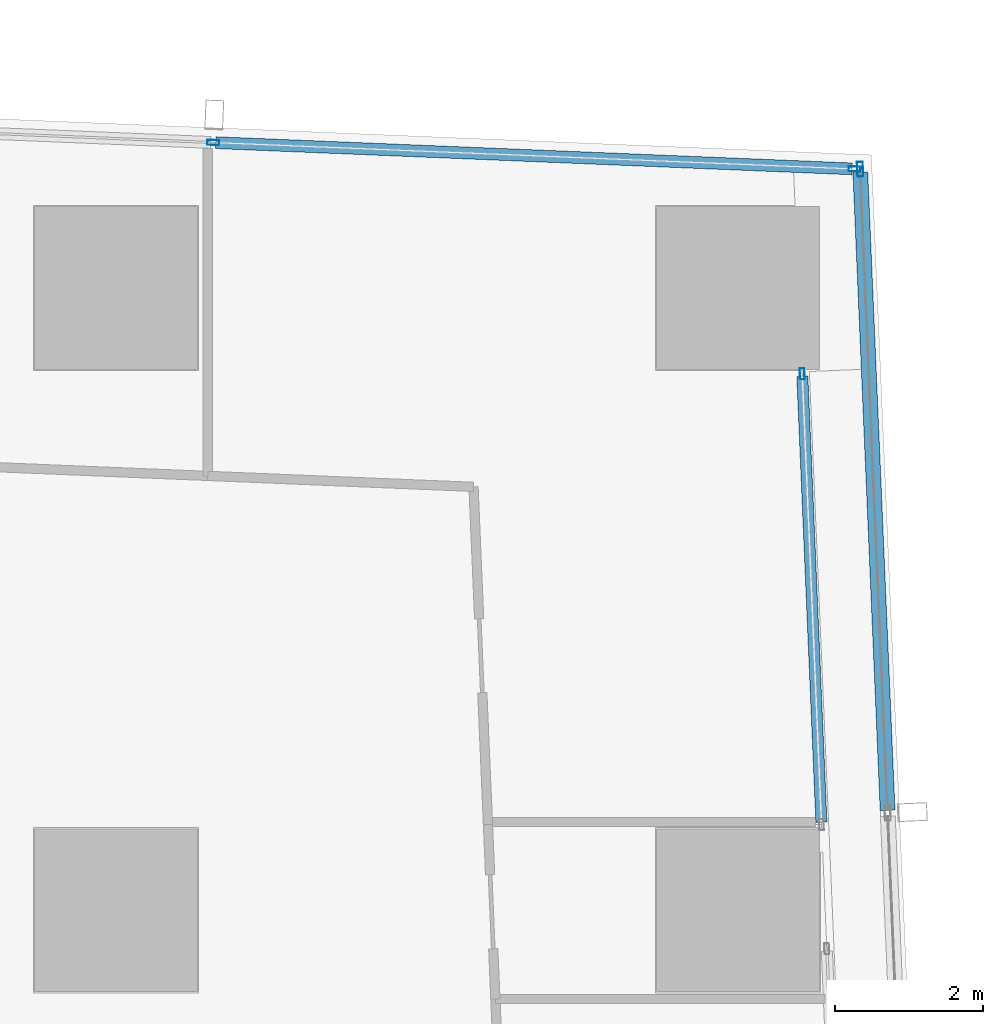
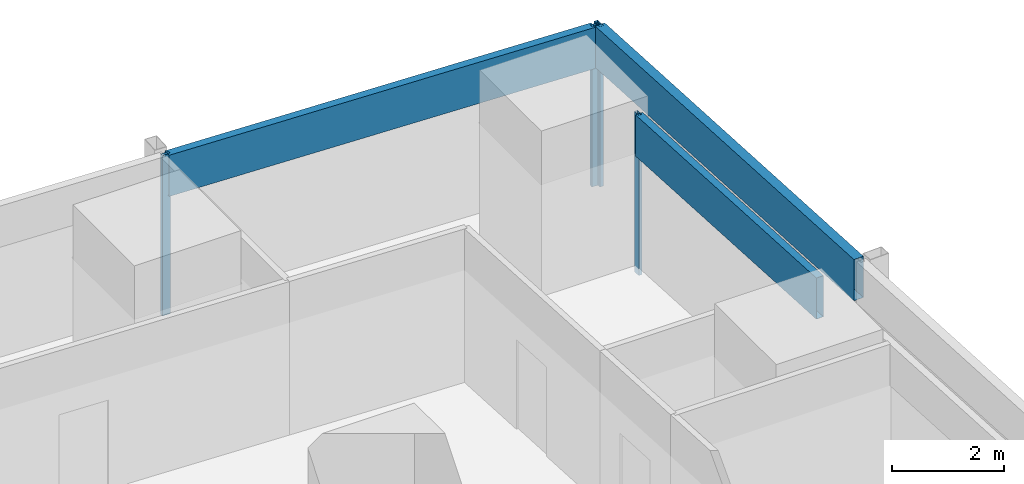
# One storey, part 23 of 45: 7 members, 3 elements without a shape of their own.
"""IFC4 building model written with IfcOpenShell, lengths in metres."""

import ifcopenshell
import ifcopenshell.guid

model = None  # the IFC model being written
_history = None  # IfcOwnerHistory: only IFC2X3 demands one
_inside = {}  # id of a spatial element -> (the spatial element, [elements in it])
_under = {}  # id of a project, library or spatial element -> (it, [spatial elements below it])
_declared = {}  # id of a project -> (the project, [libraries it declares])
_typed = {}  # id of a type object -> (the type object, [elements of that type])
_made_of = {}  # id of a material, layer set ... -> (it, [elements and type objects made of it])


def new_model(schema):
    """Start an empty IFC model of exactly this schema.

    Asked for "IFC4X3", IfcOpenShell would pick the latest addendum, in which some entities
    have other attributes; the version numbers below select the first issue.
    IFC2X3 requires an IfcOwnerHistory on every rooted entity: one is made here for all.
    """
    global model, _history
    if schema == "IFC4X3":
        model = ifcopenshell.file(schema_version=(4, 3, 0, 0))
    else:
        model = ifcopenshell.file(schema=schema)
    _inside.clear()
    _under.clear()
    _declared.clear()
    _typed.clear()
    _made_of.clear()
    _history = None
    if model.schema == "IFC2X3":
        org = make("IfcOrganization", Name="unknown")
        user = make(
            "IfcPersonAndOrganization",
            ThePerson=make("IfcPerson", FamilyName="unknown"),
            TheOrganization=org,
        )
        app = make(
            "IfcApplication",
            ApplicationDeveloper=org,
            Version="unknown",
            ApplicationFullName="unknown",
            ApplicationIdentifier="unknown",
        )
        _history = make(
            "IfcOwnerHistory",
            OwningUser=user,
            OwningApplication=app,
            ChangeAction="ADDED",
            CreationDate=0,
        )
    return model


def make(cls, **values):
    """One entity of the class cls with the attributes given. An attribute that is None is left unset."""
    return model.create_entity(
        cls, **{name: value for name, value in values.items() if value is not None}
    )


def rooted(cls, **values):
    """An entity with a GlobalId (a new one), such as an element, a storey or a relation."""
    return make(cls, GlobalId=ifcopenshell.guid.new(), OwnerHistory=_history, **values)


def si_unit(unit_type, name, prefix=None):
    """IfcSIUnit, for example si_unit("LENGTHUNIT", "METRE", prefix="MILLI")."""
    return make("IfcSIUnit", UnitType=unit_type, Prefix=prefix, Name=name)


def assignment(units):
    """IfcUnitAssignment: the units of a project."""
    return None if units is None else make("IfcUnitAssignment", Units=units)


def point(xyz):
    """IfcCartesianPoint."""
    return None if xyz is None else make("IfcCartesianPoint", Coordinates=xyz)


def direction(xyz):
    """IfcDirection."""
    return None if xyz is None else make("IfcDirection", DirectionRatios=xyz)


def frame(location, z_axis=None, x_axis=None):
    """IfcAxis2Placement3D, a coordinate frame: its origin and axes. An axis left out is left unset."""
    return make(
        "IfcAxis2Placement3D",
        Location=point(location),
        Axis=direction(z_axis),
        RefDirection=direction(x_axis),
    )


def frame_2d(location, x_axis=None):
    """IfcAxis2Placement2D, a coordinate frame in the plane: its origin and x axis."""
    return make(
        "IfcAxis2Placement2D", Location=point(location), RefDirection=direction(x_axis)
    )


def origin():
    """The frame at (0, 0, 0) with its axes left unset."""
    return frame((0.0, 0.0, 0.0))


def origin_2d():
    """The frame at (0, 0) in the plane with its x axis left unset."""
    return frame_2d((0.0, 0.0))


def place(relative_to, where):
    """IfcLocalPlacement: puts the frame where relative to a parent placement (None: the world)."""
    return make(
        "IfcLocalPlacement", PlacementRelTo=relative_to, RelativePlacement=where
    )


def context(
    kind, dimensions, precision=None, world=None, true_north=None, identifier=None
):
    """IfcGeometricRepresentationContext, for example the 3D "Model" context."""
    return make(
        "IfcGeometricRepresentationContext",
        ContextIdentifier=identifier,
        ContextType=kind,
        CoordinateSpaceDimension=dimensions,
        Precision=precision,
        WorldCoordinateSystem=world,
        TrueNorth=true_north,
    )


def subcontext(parent, identifier, kind, view, scale=None):
    """IfcGeometricRepresentationSubContext, for example "Body" below "Model"."""
    return make(
        "IfcGeometricRepresentationSubContext",
        ContextIdentifier=identifier,
        ContextType=kind,
        ParentContext=parent,
        TargetScale=scale,
        TargetView=view,
    )


def project(units=None, contexts=None):
    """IfcProject with its units and contexts."""
    return rooted(
        "IfcProject",
        Name="project",
        RepresentationContexts=contexts,
        UnitsInContext=assignment(units),
    )


def spatial(cls, under=None, at=None, **own):
    """A site, building, storey or space (cls), placed at a placement, below another one or the project."""
    s = rooted(cls, ObjectPlacement=at, **own)
    if under is not None:
        _under.setdefault(under.id(), (under, []))[1].append(s)
    return s


def profile(cls, at=None, kind="AREA", **sizes):
    """A parametric profile (cls). Its sizes go by their IFC names, for example OverallWidth=200.0."""
    return make(cls, ProfileType=kind, Position=at, **sizes)


def hollow_rectangle(**sizes):
    """IfcRectangleHollowProfileDef."""
    return profile("IfcRectangleHollowProfileDef", **sizes)


def extrude(swept, where, along, depth):
    """IfcExtrudedAreaSolid: the profile swept, set in the frame where, extruded along a direction by depth."""
    return make(
        "IfcExtrudedAreaSolid",
        SweptArea=swept,
        Position=where,
        ExtrudedDirection=direction(along),
        Depth=depth,
    )


def shape(context_of_items, identifier, shape_type, items):
    """IfcShapeRepresentation: the items that make up one representation, for example the "Body"."""
    return make(
        "IfcShapeRepresentation",
        ContextOfItems=context_of_items,
        RepresentationIdentifier=identifier,
        RepresentationType=shape_type,
        Items=items,
    )


def material(Name=None, Category=None):
    """IfcMaterial."""
    return make("IfcMaterial", Name=Name, Category=Category)


def material_profile(
    of_material, cross_section, Name=None, Category=None, Priority=None
):
    """IfcMaterialProfile: a cross section and its material."""
    return make(
        "IfcMaterialProfile",
        Name=Name,
        Material=of_material,
        Profile=cross_section,
        Priority=Priority,
        Category=Category,
    )


def profile_set(profiles, Name=None, composite=None):
    """IfcMaterialProfileSet."""
    return make(
        "IfcMaterialProfileSet",
        Name=Name,
        MaterialProfiles=profiles,
        CompositeProfile=composite,
    )


def made_of(thing, what):
    """Note that an element or type object is made of a material, layer set ...; save() writes the relation."""
    if what is not None:
        _made_of.setdefault(what.id(), (what, []))[1].append(thing)
    return thing


def type_object(cls, material=None, **own):
    """A type object (cls), such as IfcWallType, which elements share."""
    return made_of(rooted(cls, **own), material)


def element(
    cls,
    number,
    at=None,
    inside=None,
    cuts=None,
    type_object=None,
    material=None,
    context=None,
    identifier="Body",
    shape_type=None,
    held_by="IfcProductDefinitionShape",
    body=None,
    shapes=None,
    **own,
):
    """One element of the class cls, such as IfcWall. Its Tag is "e" and its number.

    at: its placement. inside: the storey or other place that contains it. cuts: it is an
    opening in that element (IfcRelVoidsElement). A single representation is given by context,
    identifier, shape_type and body (its items); several are given by shapes. held_by: the class
    of the entity that holds the representations. save() writes the other relations.
    """
    e = rooted(cls, Tag="e%d" % number, ObjectPlacement=at, **own)
    if body is not None:
        shapes = [shape(context, identifier, shape_type, body)]
    if shapes is not None:
        e.Representation = make(held_by, Representations=shapes)
    if inside is not None:
        _inside.setdefault(inside.id(), (inside, []))[1].append(e)
    if cuts is not None:
        rooted(
            "IfcRelVoidsElement", RelatingBuildingElement=cuts, RelatedOpeningElement=e
        )
    if type_object is not None:
        _typed.setdefault(type_object.id(), (type_object, []))[1].append(e)
    return made_of(e, material)


def aggregate(whole, parts):
    """IfcRelAggregates: a whole, such as a stair, and the parts it consists of."""
    return rooted("IfcRelAggregates", RelatingObject=whole, RelatedObjects=parts)


def save(model, path):
    """Write the relations noted so far, then the file.

    IfcRelAggregates (storeys below a building ...), IfcRelContainedInSpatialStructure (elements
    in a storey), IfcRelDefinesByType, IfcRelAssociatesMaterial and IfcRelDeclares: one each for
    every whole, place, type object, material and project.
    """
    for whole, parts in _under.values():
        aggregate(whole, parts)
    for where, things in _inside.values():
        rooted(
            "IfcRelContainedInSpatialStructure",
            RelatedElements=things,
            RelatingStructure=where,
        )
    for kind, things in _typed.values():
        rooted("IfcRelDefinesByType", RelatedObjects=things, RelatingType=kind)
    for what, things in _made_of.values():
        rooted("IfcRelAssociatesMaterial", RelatedObjects=things, RelatingMaterial=what)
    for by, libraries in _declared.values():
        rooted("IfcRelDeclares", RelatingContext=by, RelatedDefinitions=libraries)
    model.write(path)


model = new_model("IFC4")

# Units and contexts
model_context = context("Model", 3, precision=1e-05, world=origin(), true_north=direction((0.0, 1.0)))
body_context = subcontext(model_context, "Body", "Model", "MODEL_VIEW")
ifc_project = project(units=[si_unit("LENGTHUNIT", "METRE"), si_unit("AREAUNIT", "SQUARE_METRE"), si_unit("VOLUMEUNIT", "CUBIC_METRE"), si_unit("PLANEANGLEUNIT", "RADIAN"), si_unit("MASSUNIT", "GRAM", prefix="KILO")], contexts=[model_context])

# Site, building, storey
site_placement = place(None, origin())
site = spatial("IfcSite", under=ifc_project, at=site_placement, CompositionType="ELEMENT")
building_placement = place(site_placement, origin())
building = spatial("IfcBuilding", under=site, at=building_placement, Name="Rekha Terrace Tower", CompositionType="ELEMENT")
storey_placement = place(building_placement, frame((0.0, 0.0, 32.89990234375)))
storey = spatial("IfcBuildingStorey", under=building, at=storey_placement, Name="L07", CompositionType="ELEMENT", Elevation=32.89990234375)

# Curtain wall, members
ifc_material_1 = material(Name="Aluminium framing", Category="aluminium")
curtain_wall_type_1 = type_object("IfcCurtainWallType", Name="CW1 double skin inner glazing", PredefinedType="USERDEFINED", material=ifc_material_1)
curtain_wall_1_placement = place(storey_placement, origin())
curtain_wall_1 = element("IfcCurtainWall", 1, at=curtain_wall_1_placement, inside=storey, type_object=curtain_wall_type_1, Name="CW1 double skin inner glazing", ObjectType="DOUBLE SKIN INNER GLAZING", PredefinedType="USERDEFINED")
ifc_material_2 = material(Name="Aluminium mullion section", Category="aluminium")
ifc_material_profile_1 = material_profile(ifc_material_2, hollow_rectangle(XDim=0.06494140625, YDim=0.14990234375, WallThickness=0.00390625, at=origin_2d()), Name="AL RHS 65x150")
ifc_profile_set_1 = profile_set([ifc_material_profile_1], Name="Aluminium mullion section")
member_type_1 = type_object("IfcMemberType", Name="CW1 mullion RHS 65 x 150", PredefinedType="MULLION", material=ifc_profile_set_1)
member_1_placement = place(storey_placement, frame((68.0654296875, 57.6435546875, 0.0), z_axis=(0.0, 0.0, 1.0), x_axis=(-0.9990881069, -0.042696073026, 0.0)))
member_1 = element("IfcMember", 2, at=member_1_placement, type_object=member_type_1, Name="CW1 mullion 2", PredefinedType="MULLION", context=body_context, shape_type="SweptSolid", body=[
    extrude(hollow_rectangle(XDim=0.06494140625, YDim=0.14990234375, WallThickness=0.00390625, at=origin_2d()), origin(), (0.0, 0.0, 1.0), 3.5),
])
ifc_material_3 = material(Name="Insulated aluminium spandrel box", Category="aluminium")
ifc_material_profile_2 = material_profile(ifc_material_3, hollow_rectangle(XDim=0.14990234375, YDim=0.89990234375, WallThickness=0.0029296875, at=origin_2d()), Name="AL SPANDREL BOX 150x900")
ifc_profile_set_2 = profile_set([ifc_material_profile_2], Name="Insulated aluminium spandrel box")
member_type_2 = type_object("IfcMemberType", Name="CW1 spandrel transom 150 x 900", PredefinedType="USERDEFINED", material=ifc_profile_set_2)
member_2_placement = place(storey_placement, frame((68.32421875, 51.5888671875, 3.050048828125), z_axis=(-0.042730627731, 0.999086629604, 0.0), x_axis=(-0.999086629604, -0.042730627731, 0.0)))
member_2 = element("IfcMember", 3, at=member_2_placement, type_object=member_type_2, Name="CW1 spandrel transom 1", ObjectType="TRANSOM", PredefinedType="USERDEFINED", context=body_context, shape_type="SweptSolid", body=[
    extrude(hollow_rectangle(XDim=0.14990234375, YDim=0.89990234375, WallThickness=0.0029296875, at=origin_2d()), origin(), (0.0, 0.0, 1.0), 6.02783203125),
])
aggregate(curtain_wall_1, [member_1, member_2])

curtain_wall_type_2 = type_object("IfcCurtainWallType", Name="CW2 double skin outer glazing", PredefinedType="USERDEFINED", material=ifc_material_1)
curtain_wall_2_placement = place(storey_placement, origin())
curtain_wall_2 = element("IfcCurtainWall", 4, at=curtain_wall_2_placement, inside=storey, type_object=curtain_wall_type_2, Name="CW2 double skin outer glazing", ObjectType="DOUBLE SKIN OUTER GLAZING", PredefinedType="USERDEFINED")
ifc_material_profile_3 = material_profile(ifc_material_2, hollow_rectangle(XDim=0.080078125, YDim=0.199951171875, WallThickness=0.00390625, at=origin_2d()), Name="AL RHS 80x200")
ifc_profile_set_3 = profile_set([ifc_material_profile_3], Name="Aluminium mullion section")
member_type_3 = type_object("IfcMemberType", Name="CW2 mullion RHS 80 x 200", PredefinedType="MULLION", material=ifc_profile_set_3)
member_3_placement = place(storey_placement, frame((68.84814453125, 60.40625, 0.0), z_axis=(0.0, 0.0, 1.0), x_axis=(-0.999088106903, -0.042696072956, 0.0)))
member_3 = element("IfcMember", 5, at=member_3_placement, type_object=member_type_3, Name="CW2 mullion 5", PredefinedType="MULLION", context=body_context, shape_type="SweptSolid", body=[
    extrude(hollow_rectangle(XDim=0.080078125, YDim=0.199951171875, WallThickness=0.00390625, at=origin_2d()), origin(), (0.0, 0.0, 1.0), 3.5),
])
ifc_material_profile_4 = material_profile(ifc_material_3, hollow_rectangle(XDim=0.199951171875, YDim=0.89990234375, WallThickness=0.0029296875, at=origin_2d()), Name="AL SPANDREL BOX 200x900")
ifc_profile_set_4 = profile_set([ifc_material_profile_4], Name="Insulated aluminium spandrel box")
member_type_4 = type_object("IfcMemberType", Name="CW2 spandrel transom 200 x 900", PredefinedType="USERDEFINED", material=ifc_profile_set_4)
member_4_placement = place(storey_placement, frame((69.218017578125, 51.750244140625, 3.050048828125), z_axis=(-0.042691483974, 0.999088303002, 0.0), x_axis=(-0.999088303002, -0.042691483974, 0.0)))
member_4 = element("IfcMember", 6, at=member_4_placement, type_object=member_type_4, Name="CW2 spandrel transom 4", ObjectType="TRANSOM", PredefinedType="USERDEFINED", context=body_context, shape_type="SweptSolid", body=[
    extrude(hollow_rectangle(XDim=0.199951171875, YDim=0.89990234375, WallThickness=0.0029296875, at=origin_2d()), origin(), (0.0, 0.0, 1.0), 8.623779296875),
])
aggregate(curtain_wall_2, [member_3, member_4])

curtain_wall_type_3 = type_object("IfcCurtainWallType", Name="CW3 north unitised glazing", PredefinedType="USERDEFINED", material=ifc_material_1)
curtain_wall_3_placement = place(storey_placement, origin())
curtain_wall_3 = element("IfcCurtainWall", 7, at=curtain_wall_3_placement, inside=storey, type_object=curtain_wall_type_3, Name="CW3 unitised curtain wall", ObjectType="UNITISED CURTAIN WALL", PredefinedType="USERDEFINED")
ifc_material_profile_5 = material_profile(ifc_material_2, hollow_rectangle(XDim=0.070068359375, YDim=0.159912109375, WallThickness=0.00390625, at=origin_2d()), Name="AL RHS 70x160")
ifc_profile_set_5 = profile_set([ifc_material_profile_5], Name="Aluminium mullion section")
member_type_5 = type_object("IfcMemberType", Name="CW3 mullion RHS 70 x 160", PredefinedType="MULLION", material=ifc_profile_set_5)
member_5_placement = place(storey_placement, frame((68.77294921875, 60.4091796875, 0.0), z_axis=(0.0, 0.0, 1.0), x_axis=(-0.041173846041, -0.999151997647, 0.0)))
member_5 = element("IfcMember", 8, at=member_5_placement, type_object=member_type_5, Name="CW3 mullion 1", PredefinedType="MULLION", context=body_context, shape_type="SweptSolid", body=[
    extrude(hollow_rectangle(XDim=0.070068359375, YDim=0.159912109375, WallThickness=0.00390625, at=origin_2d()), origin(), (0.0, 0.0, 1.0), 3.5),
])
member_6_placement = place(storey_placement, frame((60.111572265625, 60.76611328125, 0.0), z_axis=(0.0, 0.0, 1.0), x_axis=(-0.041173846041, -0.999151997647, 0.0)))
member_6 = element("IfcMember", 9, at=member_6_placement, type_object=member_type_5, Name="CW3 mullion 2", PredefinedType="MULLION", context=body_context, shape_type="SweptSolid", body=[
    extrude(hollow_rectangle(XDim=0.070068359375, YDim=0.159912109375, WallThickness=0.00390625, at=origin_2d()), origin(), (0.0, 0.0, 1.0), 3.5),
])
ifc_material_profile_6 = material_profile(ifc_material_3, hollow_rectangle(XDim=0.159912109375, YDim=0.89990234375, WallThickness=0.0029296875, at=origin_2d()), Name="AL SPANDREL BOX 160x900")
ifc_profile_set_6 = profile_set([ifc_material_profile_6], Name="Insulated aluminium spandrel box")
member_type_6 = type_object("IfcMemberType", Name="CW3 spandrel transom 160 x 900", PredefinedType="USERDEFINED", material=ifc_profile_set_6)
member_7_placement = place(storey_placement, frame((68.738037109375, 60.41064453125, 3.050048828125), z_axis=(-0.99915220621, 0.041168784604, 0.0), x_axis=(-0.041168784604, -0.99915220621, 0.0)))
member_7 = element("IfcMember", 10, at=member_7_placement, type_object=member_type_6, Name="CW3 spandrel transom 1", ObjectType="TRANSOM", PredefinedType="USERDEFINED", context=body_context, shape_type="SweptSolid", body=[
    extrude(hollow_rectangle(XDim=0.159912109375, YDim=0.89990234375, WallThickness=0.0029296875, at=origin_2d()), origin(), (0.0, 0.0, 1.0), 8.598876953125),
])
aggregate(curtain_wall_3, [member_5, member_6, member_7])

save(model, "model.ifc")
